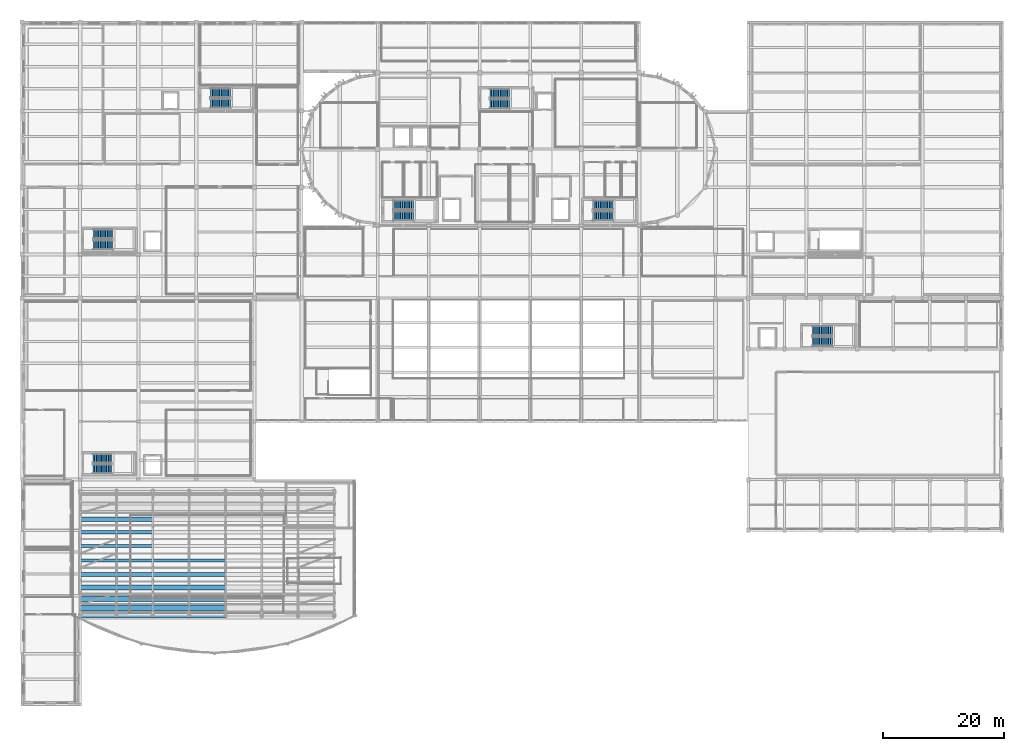
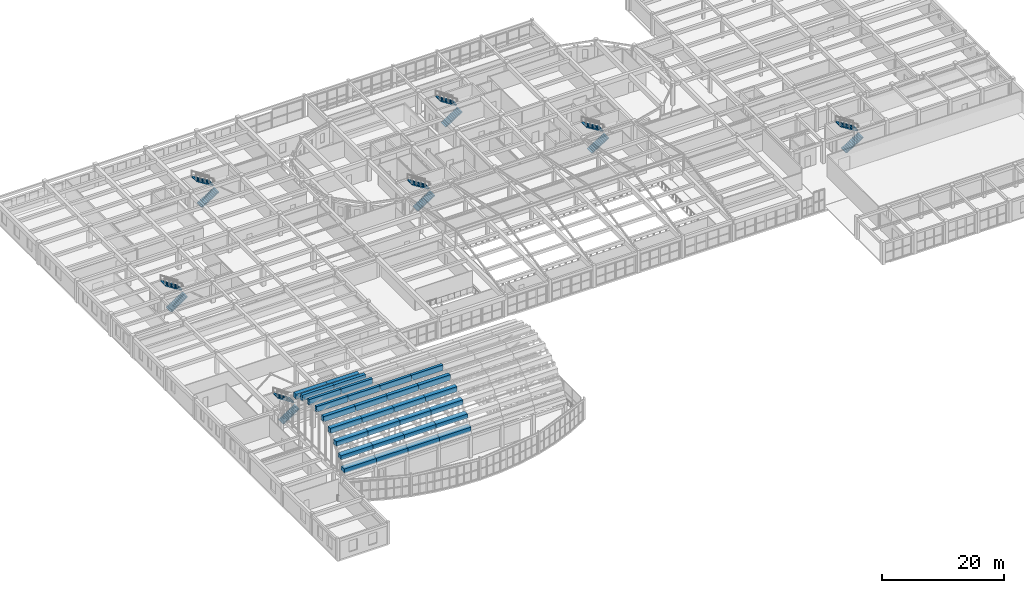
# One storey, part 75 of 91: 30 discrete accessories, 14 stair flights, 7 elements without a shape of their own.
"""IFC4 building model written with IfcOpenShell, lengths in metres."""

from ifc_helpers import new_model, si_unit, direction, frame, origin, origin_2d, place, context, subcontext, project, spatial, polyline, rectangle, outline, extrude, material, type_object, element, aggregate, save


model = new_model("IFC4")

# Units and contexts
model_context = context("Model", 3, precision=1e-05, world=origin(), true_north=direction((0.0, 1.0)))
body_context = subcontext(model_context, "Body", "Model", "MODEL_VIEW")
ifc_project = project(units=[si_unit("LENGTHUNIT", "METRE"), si_unit("AREAUNIT", "SQUARE_METRE"), si_unit("VOLUMEUNIT", "CUBIC_METRE"), si_unit("PLANEANGLEUNIT", "RADIAN"), si_unit("MASSUNIT", "GRAM", prefix="KILO")], contexts=[model_context])

# Site, building, storey
site_placement = place(None, origin())
site = spatial("IfcSite", under=ifc_project, at=site_placement, CompositionType="ELEMENT")
building_placement = place(site_placement, origin())
building = spatial("IfcBuilding", under=site, at=building_placement, Name="Tarnavel Promenade Courthouse", CompositionType="ELEMENT")
storey_placement = place(building_placement, frame((0.0, 0.0, 9.89990234375)))
storey = spatial("IfcBuildingStorey", under=building, at=storey_placement, Name="L03", CompositionType="ELEMENT", Elevation=9.89990234375)

# Stair, stair flights
ifc_material_1 = material(Name="Concrete C35/45", Category="concrete")
stair_type_1 = type_object("IfcStairType", Name="Concrete C35/45 Half-Turn Stair STR-03 (1560W-300G-24R)", PredefinedType="HALF_TURN_STAIR", material=ifc_material_1)
stair_1_placement = place(storey_placement, origin())
stair_1 = element("IfcStair", 1, at=stair_1_placement, inside=storey, type_object=stair_type_1, Name="L03 West Bar Firefighting Exit Stair", PredefinedType="HALF_TURN_STAIR")
stair_flight_type_1 = type_object("IfcStairFlightType", Name="Concrete C35/45 Stair Flight STF-03 (1560W-300G-24R)", PredefinedType="STRAIGHT", material=ifc_material_1)
stair_flight_1_placement = place(storey_placement, frame((61.360107421875, 80.780029296875, 0.0), z_axis=(0.0, 0.0, 1.0), x_axis=(1.0, 0.0, 0.0)))
stair_flight_1 = element("IfcStairFlight", 2, at=stair_flight_1_placement, type_object=stair_flight_type_1, Name="ST-01 flight 1", NumberOfRisers=12, NumberOfTreads=11, PredefinedType="STRAIGHT", RiserHeight=0.1875, TreadLength=0.3, context=body_context, shape_type="SweptSolid", body=[
    extrude(outline(polyline([(0.0, 0.0), (0.0, 0.1875), (0.300048828125, 0.1875), (0.300048828125, 0.375), (0.60009765625, 0.375), (0.60009765625, 0.5625), (0.89990234375, 0.5625), (0.89990234375, 0.75), (1.199951171875, 0.75), (1.199951171875, 0.9375), (1.5, 0.9375), (1.5, 1.125), (1.800048828125, 1.125), (1.800048828125, 1.3125), (2.10009765625, 1.3125), (2.10009765625, 1.5), (2.39990234375, 1.5), (2.39990234375, 1.6875), (2.699951171875, 1.6875), (2.699951171875, 1.875), (3.0, 1.875), (3.0, 2.0625), (3.300048828125, 2.0625), (3.300048828125, 2.25), (3.300048828125, 1.8857421875), (0.28271484375, 0.0), (0.0, 0.0)])), frame((0.0, 0.780029296875, 0.0), z_axis=(0.0, -1.0, 0.0), x_axis=(1.0, 0.0, 0.0)), (0.0, 0.0, 1.0), 1.56005859375),
])
stair_flight_2_placement = place(storey_placement, frame((64.659912109375, 82.5400390625, 2.25), z_axis=(0.0, 0.0, 1.0), x_axis=(-1.0, 0.0, 0.0)))
stair_flight_2 = element("IfcStairFlight", 3, at=stair_flight_2_placement, type_object=stair_flight_type_1, Name="ST-01 flight 2", NumberOfRisers=12, NumberOfTreads=11, PredefinedType="STRAIGHT", RiserHeight=0.1875, TreadLength=0.3, context=body_context, shape_type="SweptSolid", body=[
    extrude(outline(polyline([(0.0, 0.0), (0.0, 0.1875), (0.300048828125, 0.1875), (0.300048828125, 0.375), (0.60009765625, 0.375), (0.60009765625, 0.5625), (0.89990234375, 0.5625), (0.89990234375, 0.75), (1.199951171875, 0.75), (1.199951171875, 0.9375), (1.5, 0.9375), (1.5, 1.125), (1.800048828125, 1.125), (1.800048828125, 1.3125), (2.10009765625, 1.3125), (2.10009765625, 1.5), (2.39990234375, 1.5), (2.39990234375, 1.6875), (2.699951171875, 1.6875), (2.699951171875, 1.875), (3.0, 1.875), (3.0, 2.0625), (3.300048828125, 2.0625), (3.300048828125, 2.25), (3.300048828125, 1.8857421875), (0.28271484375, 0.0), (0.0, 0.0)])), frame((0.0, 0.780029296875, 0.0), z_axis=(0.0, -1.0, 0.0), x_axis=(1.0, 0.0, 0.0)), (0.0, 0.0, 1.0), 1.56005859375),
])
aggregate(stair_1, [stair_flight_1, stair_flight_2])

stair_2_placement = place(storey_placement, origin())
stair_2 = element("IfcStair", 4, at=stair_2_placement, inside=storey, type_object=stair_type_1, Name="L03 East Bar Firefighting Exit Stair", PredefinedType="HALF_TURN_STAIR")
stair_flight_3_placement = place(storey_placement, frame((94.360107421875, 80.780029296875, 0.0), z_axis=(0.0, 0.0, 1.0), x_axis=(1.0, 0.0, 0.0)))
stair_flight_3 = element("IfcStairFlight", 5, at=stair_flight_3_placement, type_object=stair_flight_type_1, Name="ST-02 flight 1", NumberOfRisers=12, NumberOfTreads=11, PredefinedType="STRAIGHT", RiserHeight=0.1875, TreadLength=0.3, context=body_context, shape_type="SweptSolid", body=[
    extrude(outline(polyline([(0.0, 0.0), (0.0, 0.1875), (0.300048828125, 0.1875), (0.300048828125, 0.375), (0.60009765625, 0.375), (0.60009765625, 0.5625), (0.89990234375, 0.5625), (0.89990234375, 0.75), (1.199951171875, 0.75), (1.199951171875, 0.9375), (1.5, 0.9375), (1.5, 1.125), (1.800048828125, 1.125), (1.800048828125, 1.3125), (2.10009765625, 1.3125), (2.10009765625, 1.5), (2.39990234375, 1.5), (2.39990234375, 1.6875), (2.699951171875, 1.6875), (2.699951171875, 1.875), (3.0, 1.875), (3.0, 2.0625), (3.300048828125, 2.0625), (3.300048828125, 2.25), (3.300048828125, 1.8857421875), (0.28271484375, 0.0), (0.0, 0.0)])), frame((0.0, 0.780029296875, 0.0), z_axis=(0.0, -1.0, 0.0), x_axis=(1.0, 0.0, 0.0)), (0.0, 0.0, 1.0), 1.56005859375),
])
stair_flight_4_placement = place(storey_placement, frame((97.659912109375, 82.5400390625, 2.25), z_axis=(0.0, 0.0, 1.0), x_axis=(-1.0, 0.0, 0.0)))
stair_flight_4 = element("IfcStairFlight", 6, at=stair_flight_4_placement, type_object=stair_flight_type_1, Name="ST-02 flight 2", NumberOfRisers=12, NumberOfTreads=11, PredefinedType="STRAIGHT", RiserHeight=0.1875, TreadLength=0.3, context=body_context, shape_type="SweptSolid", body=[
    extrude(outline(polyline([(0.0, 0.0), (0.0, 0.1875), (0.300048828125, 0.1875), (0.300048828125, 0.375), (0.60009765625, 0.375), (0.60009765625, 0.5625), (0.89990234375, 0.5625), (0.89990234375, 0.75), (1.199951171875, 0.75), (1.199951171875, 0.9375), (1.5, 0.9375), (1.5, 1.125), (1.800048828125, 1.125), (1.800048828125, 1.3125), (2.10009765625, 1.3125), (2.10009765625, 1.5), (2.39990234375, 1.5), (2.39990234375, 1.6875), (2.699951171875, 1.6875), (2.699951171875, 1.875), (3.0, 1.875), (3.0, 2.0625), (3.300048828125, 2.0625), (3.300048828125, 2.25), (3.300048828125, 1.8857421875), (0.28271484375, 0.0), (0.0, 0.0)])), frame((0.0, 0.780029296875, 0.0), z_axis=(0.0, -1.0, 0.0), x_axis=(1.0, 0.0, 0.0)), (0.0, 0.0, 1.0), 1.56005859375),
])
aggregate(stair_2, [stair_flight_3, stair_flight_4])

stair_type_2 = type_object("IfcStairType", Name="Concrete C35/45 Half-Turn Stair STR-06 (1520W-290G-24R)", PredefinedType="HALF_TURN_STAIR", material=ifc_material_1)
stair_3_placement = place(storey_placement, origin())
stair_3 = element("IfcStair", 7, at=stair_3_placement, inside=storey, type_object=stair_type_2, Name="L03 Central Judicial Chambers Exit Stair", PredefinedType="HALF_TURN_STAIR")
stair_flight_type_2 = type_object("IfcStairFlightType", Name="Concrete C35/45 Stair Flight STF-06 (1520W-290G-24R)", PredefinedType="STRAIGHT", material=ifc_material_1)
stair_flight_5_placement = place(storey_placement, frame((77.320068359375, 99.260009765625, 0.0), z_axis=(0.0, 0.0, 1.0), x_axis=(1.0, 0.0, 0.0)))
stair_flight_5 = element("IfcStairFlight", 8, at=stair_flight_5_placement, type_object=stair_flight_type_2, Name="ST-03 flight 1", NumberOfRisers=12, NumberOfTreads=11, PredefinedType="STRAIGHT", RiserHeight=0.1875, TreadLength=0.29, context=body_context, shape_type="SweptSolid", body=[
    extrude(outline(polyline([(0.0, 0.0), (0.0, 0.1875), (0.2900390625, 0.1875), (0.2900390625, 0.375), (0.580078125, 0.375), (0.580078125, 0.5625), (0.8701171875, 0.5625), (0.8701171875, 0.75), (1.159912109375, 0.75), (1.159912109375, 0.9375), (1.449951171875, 0.9375), (1.449951171875, 1.125), (1.739990234375, 1.125), (1.739990234375, 1.3125), (2.030029296875, 1.3125), (2.030029296875, 1.5), (2.320068359375, 1.5), (2.320068359375, 1.6875), (2.610107421875, 1.6875), (2.610107421875, 1.875), (2.89990234375, 1.875), (2.89990234375, 2.0625), (3.18994140625, 2.0625), (3.18994140625, 2.25), (3.18994140625, 1.884033203125), (0.276123046875, 0.0), (0.0, 0.0)])), frame((0.0, 0.760009765625, 0.0), z_axis=(0.0, -1.0, 0.0), x_axis=(1.0, 0.0, 0.0)), (0.0, 0.0, 1.0), 1.52001953125),
])
stair_flight_6_placement = place(storey_placement, frame((80.510009765625, 100.97998046875, 2.25), z_axis=(0.0, 0.0, 1.0), x_axis=(-1.0, 0.0, 0.0)))
stair_flight_6 = element("IfcStairFlight", 9, at=stair_flight_6_placement, type_object=stair_flight_type_2, Name="ST-03 flight 2", NumberOfRisers=12, NumberOfTreads=11, PredefinedType="STRAIGHT", RiserHeight=0.1875, TreadLength=0.29, context=body_context, shape_type="SweptSolid", body=[
    extrude(outline(polyline([(0.0, 0.0), (0.0, 0.1875), (0.2900390625, 0.1875), (0.2900390625, 0.375), (0.580078125, 0.375), (0.580078125, 0.5625), (0.8701171875, 0.5625), (0.8701171875, 0.75), (1.159912109375, 0.75), (1.159912109375, 0.9375), (1.449951171875, 0.9375), (1.449951171875, 1.125), (1.739990234375, 1.125), (1.739990234375, 1.3125), (2.030029296875, 1.3125), (2.030029296875, 1.5), (2.320068359375, 1.5), (2.320068359375, 1.6875), (2.610107421875, 1.6875), (2.610107421875, 1.875), (2.89990234375, 1.875), (2.89990234375, 2.0625), (3.18994140625, 2.0625), (3.18994140625, 2.25), (3.18994140625, 1.884033203125), (0.276123046875, 0.0), (0.0, 0.0)])), frame((0.0, 0.760009765625, 0.0), z_axis=(0.0, -1.0, 0.0), x_axis=(1.0, 0.0, 0.0)), (0.0, 0.0, 1.0), 1.52001953125),
])
aggregate(stair_3, [stair_flight_5, stair_flight_6])

stair_type_3 = type_object("IfcStairType", Name="Concrete C35/45 Half-Turn Stair STR-09 (1580W-290G-24R)", PredefinedType="HALF_TURN_STAIR", material=ifc_material_1)
stair_4_placement = place(storey_placement, origin())
stair_4 = element("IfcStair", 10, at=stair_4_placement, inside=storey, type_object=stair_type_3, Name="L03 Trial Courts West Exit Stair", PredefinedType="HALF_TURN_STAIR")
stair_flight_type_3 = type_object("IfcStairFlightType", Name="Concrete C35/45 Stair Flight STF-09 (1580W-290G-24R)", PredefinedType="STRAIGHT", material=ifc_material_1)
stair_flight_7_placement = place(storey_placement, frame((11.780029296875, 75.989990234375, 0.0), z_axis=(0.0, 0.0, 1.0), x_axis=(1.0, 0.0, 0.0)))
stair_flight_7 = element("IfcStairFlight", 11, at=stair_flight_7_placement, type_object=stair_flight_type_3, Name="ST-04 flight 1", NumberOfRisers=12, NumberOfTreads=11, PredefinedType="STRAIGHT", RiserHeight=0.1875, TreadLength=0.29, context=body_context, shape_type="SweptSolid", body=[
    extrude(outline(polyline([(0.0, 0.0), (0.0, 0.1875), (0.2900390625, 0.1875), (0.2900390625, 0.375), (0.580078125, 0.375), (0.580078125, 0.5625), (0.8701171875, 0.5625), (0.8701171875, 0.75), (1.159912109375, 0.75), (1.159912109375, 0.9375), (1.449951171875, 0.9375), (1.449951171875, 1.125), (1.739990234375, 1.125), (1.739990234375, 1.3125), (2.030029296875, 1.3125), (2.030029296875, 1.5), (2.320068359375, 1.5), (2.320068359375, 1.6875), (2.610107421875, 1.6875), (2.610107421875, 1.875), (2.89990234375, 1.875), (2.89990234375, 2.0625), (3.18994140625, 2.0625), (3.18994140625, 2.25), (3.18994140625, 1.884033203125), (0.276123046875, 0.0), (0.0, 0.0)])), frame((0.0, 0.7900390625, 0.0), z_axis=(0.0, -1.0, 0.0), x_axis=(1.0, 0.0, 0.0)), (0.0, 0.0, 1.0), 1.580078125),
])
stair_flight_8_placement = place(storey_placement, frame((14.969970703125, 77.77001953125, 2.25), z_axis=(0.0, 0.0, 1.0), x_axis=(-1.0, 0.0, 0.0)))
stair_flight_8 = element("IfcStairFlight", 12, at=stair_flight_8_placement, type_object=stair_flight_type_3, Name="ST-04 flight 2", NumberOfRisers=12, NumberOfTreads=11, PredefinedType="STRAIGHT", RiserHeight=0.1875, TreadLength=0.29, context=body_context, shape_type="SweptSolid", body=[
    extrude(outline(polyline([(0.0, 0.0), (0.0, 0.1875), (0.2900390625, 0.1875), (0.2900390625, 0.375), (0.580078125, 0.375), (0.580078125, 0.5625), (0.8701171875, 0.5625), (0.8701171875, 0.75), (1.159912109375, 0.75), (1.159912109375, 0.9375), (1.449951171875, 0.9375), (1.449951171875, 1.125), (1.739990234375, 1.125), (1.739990234375, 1.3125), (2.030029296875, 1.3125), (2.030029296875, 1.5), (2.320068359375, 1.5), (2.320068359375, 1.6875), (2.610107421875, 1.6875), (2.610107421875, 1.875), (2.89990234375, 1.875), (2.89990234375, 2.0625), (3.18994140625, 2.0625), (3.18994140625, 2.25), (3.18994140625, 1.884033203125), (0.276123046875, 0.0), (0.0, 0.0)])), frame((0.0, 0.7900390625, 0.0), z_axis=(0.0, -1.0, 0.0), x_axis=(1.0, 0.0, 0.0)), (0.0, 0.0, 1.0), 1.580078125),
])
aggregate(stair_4, [stair_flight_7, stair_flight_8])

stair_type_4 = type_object("IfcStairType", Name="Concrete C35/45 Half-Turn Stair STR-12 (1540W-300G-24R)", PredefinedType="HALF_TURN_STAIR", material=ifc_material_1)
stair_5_placement = place(storey_placement, origin())
stair_5 = element("IfcStair", 13, at=stair_5_placement, inside=storey, type_object=stair_type_4, Name="L03 Trial Courts North Exit Stair", PredefinedType="HALF_TURN_STAIR")
stair_flight_type_4 = type_object("IfcStairFlightType", Name="Concrete C35/45 Stair Flight STF-12 (1540W-300G-24R)", PredefinedType="STRAIGHT", material=ifc_material_1)
stair_flight_9_placement = place(storey_placement, frame((31.139892578125, 99.3701171875, 0.0), z_axis=(0.0, 0.0, 1.0), x_axis=(1.0, 0.0, 0.0)))
stair_flight_9 = element("IfcStairFlight", 14, at=stair_flight_9_placement, type_object=stair_flight_type_4, Name="ST-07 flight 1", NumberOfRisers=12, NumberOfTreads=11, PredefinedType="STRAIGHT", RiserHeight=0.1875, TreadLength=0.3, context=body_context, shape_type="SweptSolid", body=[
    extrude(outline(polyline([(0.0, 0.0), (0.0, 0.1875), (0.300048828125, 0.1875), (0.300048828125, 0.375), (0.60009765625, 0.375), (0.60009765625, 0.5625), (0.89990234375, 0.5625), (0.89990234375, 0.75), (1.199951171875, 0.75), (1.199951171875, 0.9375), (1.5, 0.9375), (1.5, 1.125), (1.800048828125, 1.125), (1.800048828125, 1.3125), (2.10009765625, 1.3125), (2.10009765625, 1.5), (2.39990234375, 1.5), (2.39990234375, 1.6875), (2.699951171875, 1.6875), (2.699951171875, 1.875), (3.0, 1.875), (3.0, 2.0625), (3.300048828125, 2.0625), (3.300048828125, 2.25), (3.300048828125, 1.8857421875), (0.28271484375, 0.0), (0.0, 0.0)])), frame((0.0, 0.77001953125, 0.0), z_axis=(0.0, -1.0, 0.0), x_axis=(1.0, 0.0, 0.0)), (0.0, 0.0, 1.0), 1.5400390625),
])
stair_flight_10_placement = place(storey_placement, frame((34.43994140625, 101.110107421875, 2.25), z_axis=(0.0, 0.0, 1.0), x_axis=(-1.0, 0.0, 0.0)))
stair_flight_10 = element("IfcStairFlight", 15, at=stair_flight_10_placement, type_object=stair_flight_type_4, Name="ST-07 flight 2", NumberOfRisers=12, NumberOfTreads=11, PredefinedType="STRAIGHT", RiserHeight=0.1875, TreadLength=0.3, context=body_context, shape_type="SweptSolid", body=[
    extrude(outline(polyline([(0.0, 0.0), (0.0, 0.1875), (0.300048828125, 0.1875), (0.300048828125, 0.375), (0.60009765625, 0.375), (0.60009765625, 0.5625), (0.89990234375, 0.5625), (0.89990234375, 0.75), (1.199951171875, 0.75), (1.199951171875, 0.9375), (1.5, 0.9375), (1.5, 1.125), (1.800048828125, 1.125), (1.800048828125, 1.3125), (2.10009765625, 1.3125), (2.10009765625, 1.5), (2.39990234375, 1.5), (2.39990234375, 1.6875), (2.699951171875, 1.6875), (2.699951171875, 1.875), (3.0, 1.875), (3.0, 2.0625), (3.300048828125, 2.0625), (3.300048828125, 2.25), (3.300048828125, 1.8857421875), (0.28271484375, 0.0), (0.0, 0.0)])), frame((0.0, 0.77001953125, 0.0), z_axis=(0.0, -1.0, 0.0), x_axis=(1.0, 0.0, 0.0)), (0.0, 0.0, 1.0), 1.5400390625),
])
aggregate(stair_5, [stair_flight_9, stair_flight_10])

stair_type_5 = type_object("IfcStairType", Name="Concrete C35/45 Half-Turn Stair STR-14 (1520W-280G-24R)", PredefinedType="HALF_TURN_STAIR", material=ifc_material_1)
stair_6_placement = place(storey_placement, origin())
stair_6 = element("IfcStair", 16, at=stair_6_placement, inside=storey, type_object=stair_type_5, Name="L03 Law Library Exit Stair", PredefinedType="HALF_TURN_STAIR")
stair_flight_type_5 = type_object("IfcStairFlightType", Name="Concrete C35/45 Stair Flight STF-14 (1520W-280G-24R)", PredefinedType="STRAIGHT", material=ifc_material_1)
stair_flight_11_placement = place(storey_placement, frame((11.719970703125, 38.9599609375, 0.0), z_axis=(0.0, 0.0, 1.0), x_axis=(1.0, 0.0, 0.0)))
stair_flight_11 = element("IfcStairFlight", 17, at=stair_flight_11_placement, type_object=stair_flight_type_5, Name="ST-05 flight 1", NumberOfRisers=12, NumberOfTreads=11, PredefinedType="STRAIGHT", RiserHeight=0.1875, TreadLength=0.28, context=body_context, shape_type="SweptSolid", body=[
    extrude(outline(polyline([(0.0, 0.0), (0.0, 0.1875), (0.280029296875, 0.1875), (0.280029296875, 0.375), (0.56005859375, 0.375), (0.56005859375, 0.5625), (0.840087890625, 0.5625), (0.840087890625, 0.75), (1.1201171875, 0.75), (1.1201171875, 0.9375), (1.39990234375, 0.9375), (1.39990234375, 1.125), (1.679931640625, 1.125), (1.679931640625, 1.3125), (1.9599609375, 1.3125), (1.9599609375, 1.5), (2.239990234375, 1.5), (2.239990234375, 1.6875), (2.52001953125, 1.6875), (2.52001953125, 1.875), (2.800048828125, 1.875), (2.800048828125, 2.0625), (3.080078125, 2.0625), (3.080078125, 2.25), (3.080078125, 1.882080078125), (0.26953125, 0.0), (0.0, 0.0)])), frame((0.0, 0.760009765625, 0.0), z_axis=(0.0, -1.0, 0.0), x_axis=(1.0, 0.0, 0.0)), (0.0, 0.0, 1.0), 1.52001953125),
])
stair_flight_12_placement = place(storey_placement, frame((14.800048828125, 40.679931640625, 2.25), z_axis=(0.0, 0.0, 1.0), x_axis=(-1.0, 0.0, 0.0)))
stair_flight_12 = element("IfcStairFlight", 18, at=stair_flight_12_placement, type_object=stair_flight_type_5, Name="ST-05 flight 2", NumberOfRisers=12, NumberOfTreads=11, PredefinedType="STRAIGHT", RiserHeight=0.1875, TreadLength=0.28, context=body_context, shape_type="SweptSolid", body=[
    extrude(outline(polyline([(0.0, 0.0), (0.0, 0.1875), (0.280029296875, 0.1875), (0.280029296875, 0.375), (0.56005859375, 0.375), (0.56005859375, 0.5625), (0.840087890625, 0.5625), (0.840087890625, 0.75), (1.1201171875, 0.75), (1.1201171875, 0.9375), (1.39990234375, 0.9375), (1.39990234375, 1.125), (1.679931640625, 1.125), (1.679931640625, 1.3125), (1.9599609375, 1.3125), (1.9599609375, 1.5), (2.239990234375, 1.5), (2.239990234375, 1.6875), (2.52001953125, 1.6875), (2.52001953125, 1.875), (2.800048828125, 1.875), (2.800048828125, 2.0625), (3.080078125, 2.0625), (3.080078125, 2.25), (3.080078125, 1.882080078125), (0.26953125, 0.0), (0.0, 0.0)])), frame((0.0, 0.760009765625, 0.0), z_axis=(0.0, -1.0, 0.0), x_axis=(1.0, 0.0, 0.0)), (0.0, 0.0, 1.0), 1.52001953125),
])
aggregate(stair_6, [stair_flight_11, stair_flight_12])

stair_type_6 = type_object("IfcStairType", Name="Concrete C35/45 Half-Turn Stair STR-19 (1600W-300G-24R)", PredefinedType="HALF_TURN_STAIR", material=ifc_material_1)
stair_7_placement = place(storey_placement, origin())
stair_7 = element("IfcStair", 19, at=stair_7_placement, inside=storey, type_object=stair_type_6, Name="L03 Ceremonial Pavilion Exit Stair", PredefinedType="HALF_TURN_STAIR")
stair_flight_type_6 = type_object("IfcStairFlightType", Name="Concrete C35/45 Stair Flight STF-19 (1600W-300G-24R)", PredefinedType="STRAIGHT", material=ifc_material_1)
stair_flight_13_placement = place(storey_placement, frame((130.60009765625, 60.0, 0.0), z_axis=(0.0, 0.0, 1.0), x_axis=(1.0, 0.0, 0.0)))
stair_flight_13 = element("IfcStairFlight", 20, at=stair_flight_13_placement, type_object=stair_flight_type_6, Name="ST-08 flight 1", NumberOfRisers=12, NumberOfTreads=11, PredefinedType="STRAIGHT", RiserHeight=0.1875, TreadLength=0.3, context=body_context, shape_type="SweptSolid", body=[
    extrude(outline(polyline([(0.0, 0.0), (0.0, 0.1875), (0.300048828125, 0.1875), (0.300048828125, 0.375), (0.60009765625, 0.375), (0.60009765625, 0.5625), (0.89990234375, 0.5625), (0.89990234375, 0.75), (1.199951171875, 0.75), (1.199951171875, 0.9375), (1.5, 0.9375), (1.5, 1.125), (1.800048828125, 1.125), (1.800048828125, 1.3125), (2.10009765625, 1.3125), (2.10009765625, 1.5), (2.39990234375, 1.5), (2.39990234375, 1.6875), (2.699951171875, 1.6875), (2.699951171875, 1.875), (3.0, 1.875), (3.0, 2.0625), (3.300048828125, 2.0625), (3.300048828125, 2.25), (3.300048828125, 1.8857421875), (0.28271484375, 0.0), (0.0, 0.0)])), frame((0.0, 0.800048828125, 0.0), z_axis=(0.0, -1.0, 0.0), x_axis=(1.0, 0.0, 0.0)), (0.0, 0.0, 1.0), 1.60009765625),
])
stair_flight_14_placement = place(storey_placement, frame((133.89990234375, 61.800048828125, 2.25), z_axis=(0.0, 0.0, 1.0), x_axis=(-1.0, 0.0, 0.0)))
stair_flight_14 = element("IfcStairFlight", 21, at=stair_flight_14_placement, type_object=stair_flight_type_6, Name="ST-08 flight 2", NumberOfRisers=12, NumberOfTreads=11, PredefinedType="STRAIGHT", RiserHeight=0.1875, TreadLength=0.3, context=body_context, shape_type="SweptSolid", body=[
    extrude(outline(polyline([(0.0, 0.0), (0.0, 0.1875), (0.300048828125, 0.1875), (0.300048828125, 0.375), (0.60009765625, 0.375), (0.60009765625, 0.5625), (0.89990234375, 0.5625), (0.89990234375, 0.75), (1.199951171875, 0.75), (1.199951171875, 0.9375), (1.5, 0.9375), (1.5, 1.125), (1.800048828125, 1.125), (1.800048828125, 1.3125), (2.10009765625, 1.3125), (2.10009765625, 1.5), (2.39990234375, 1.5), (2.39990234375, 1.6875), (2.699951171875, 1.6875), (2.699951171875, 1.875), (3.0, 1.875), (3.0, 2.0625), (3.300048828125, 2.0625), (3.300048828125, 2.25), (3.300048828125, 1.8857421875), (0.28271484375, 0.0), (0.0, 0.0)])), frame((0.0, 0.800048828125, 0.0), z_axis=(0.0, -1.0, 0.0), x_axis=(1.0, 0.0, 0.0)), (0.0, 0.0, 1.0), 1.60009765625),
])
aggregate(stair_7, [stair_flight_13, stair_flight_14])

# Discrete accessories
ifc_material_2 = material(Name="Steel S355J2", Category="steel")
discrete_accessory_type = type_object("IfcDiscreteAccessoryType", Name="Steel S355J2 Structural Connection Bracket", PredefinedType="BRACKET", material=ifc_material_2)
discrete_accessory_1_placement = place(storey_placement, frame((12.60009765625, 14.88525390625, 5.3642578125), z_axis=(0.0, 0.0, 1.0), x_axis=(1.0, 0.0, 0.0)))
element("IfcDiscreteAccessory", 22, at=discrete_accessory_1_placement, inside=storey, type_object=discrete_accessory_type, Name="V4 Vault Panel Cleat Assembly 01-01", PredefinedType="BRACKET", context=body_context, shape_type="SweptSolid", body=[
    extrude(rectangle(XDim=6.0400390625, YDim=1.078369140625, at=origin_2d()), origin(), (0.0, 0.0, 1.0), 0.873291015625),
])
discrete_accessory_2_placement = place(storey_placement, frame((12.60009765625, 15.97265625, 7.39697265625), z_axis=(0.0, 0.0, 1.0), x_axis=(1.0, 0.0, 0.0)))
element("IfcDiscreteAccessory", 23, at=discrete_accessory_2_placement, inside=storey, type_object=discrete_accessory_type, Name="V4 Vault Panel Cleat Assembly 01-02", PredefinedType="BRACKET", context=body_context, shape_type="SweptSolid", body=[
    extrude(rectangle(XDim=6.0400390625, YDim=1.0078125, at=origin_2d()), origin(), (0.0, 0.0, 1.0), 0.810791015625),
])
discrete_accessory_3_placement = place(storey_placement, frame((12.60009765625, 17.48974609375, 9.15283203125), z_axis=(0.0, 0.0, 1.0), x_axis=(1.0, 0.0, 0.0)))
element("IfcDiscreteAccessory", 24, at=discrete_accessory_3_placement, inside=storey, type_object=discrete_accessory_type, Name="V4 Vault Panel Cleat Assembly 01-03", PredefinedType="BRACKET", context=body_context, shape_type="SweptSolid", body=[
    extrude(rectangle(XDim=6.0400390625, YDim=0.908935546875, at=origin_2d()), origin(), (0.0, 0.0, 1.0), 0.928955078125),
])
discrete_accessory_4_placement = place(storey_placement, frame((12.60009765625, 19.364501953125, 10.548828125), z_axis=(0.0, 0.0, 1.0), x_axis=(1.0, 0.0, 0.0)))
element("IfcDiscreteAccessory", 25, at=discrete_accessory_4_placement, inside=storey, type_object=discrete_accessory_type, Name="V4 Vault Panel Cleat Assembly 01-04", PredefinedType="BRACKET", context=body_context, shape_type="SweptSolid", body=[
    extrude(rectangle(XDim=6.0400390625, YDim=0.786865234375, at=origin_2d()), origin(), (0.0, 0.0, 1.0), 1.02294921875),
])
discrete_accessory_5_placement = place(storey_placement, frame((12.60009765625, 21.5078125, 11.51806640625), z_axis=(0.0, 0.0, 1.0), x_axis=(1.0, 0.0, 0.0)))
element("IfcDiscreteAccessory", 26, at=discrete_accessory_5_placement, inside=storey, type_object=discrete_accessory_type, Name="V4 Vault Panel Cleat Assembly 01-05", PredefinedType="BRACKET", context=body_context, shape_type="SweptSolid", body=[
    extrude(rectangle(XDim=6.0400390625, YDim=0.647216796875, at=origin_2d()), origin(), (0.0, 0.0, 1.0), 1.088134765625),
])
for number, where, z_axis, x_axis, name in (
    (27, (12.60009765625, 23.817138671875, 12.014404296875), (0.0, 0.0, 1.0), (1.0, 0.0, 0.0), "V4 Vault Panel Cleat Assembly 01-06"),
    (28, (12.60009765625, 26.182861328125, 12.014404296875), (0.0, 0.0, 1.0), (1.0, 0.0, 0.0), "V4 Vault Panel Cleat Assembly 01-07"),
):
    element("IfcDiscreteAccessory", number, at=place(storey_placement, frame(where, z_axis=z_axis, x_axis=x_axis)), inside=storey, type_object=discrete_accessory_type, Name=name, PredefinedType="BRACKET", context=body_context, shape_type="SweptSolid", body=[
        extrude(rectangle(XDim=6.0400390625, YDim=0.4970703125, at=origin_2d()), origin(), (0.0, 0.0, 1.0), 1.12158203125),
    ])
discrete_accessory_6_placement = place(storey_placement, frame((12.60009765625, 28.4921875, 11.51806640625), z_axis=(0.0, 0.0, 1.0), x_axis=(1.0, 0.0, 0.0)))
element("IfcDiscreteAccessory", 29, at=discrete_accessory_6_placement, inside=storey, type_object=discrete_accessory_type, Name="V4 Vault Panel Cleat Assembly 01-08", PredefinedType="BRACKET", context=body_context, shape_type="SweptSolid", body=[
    extrude(rectangle(XDim=6.0400390625, YDim=0.647216796875, at=origin_2d()), origin(), (0.0, 0.0, 1.0), 1.088134765625),
])
discrete_accessory_7_placement = place(storey_placement, frame((12.60009765625, 30.635498046875, 10.548828125), z_axis=(0.0, 0.0, 1.0), x_axis=(1.0, 0.0, 0.0)))
element("IfcDiscreteAccessory", 30, at=discrete_accessory_7_placement, inside=storey, type_object=discrete_accessory_type, Name="V4 Vault Panel Cleat Assembly 01-09", PredefinedType="BRACKET", context=body_context, shape_type="SweptSolid", body=[
    extrude(rectangle(XDim=6.0400390625, YDim=0.786865234375, at=origin_2d()), origin(), (0.0, 0.0, 1.0), 1.02294921875),
])
discrete_accessory_8_placement = place(storey_placement, frame((18.60009765625, 14.88525390625, 5.3642578125), z_axis=(0.0, 0.0, 1.0), x_axis=(1.0, 0.0, 0.0)))
element("IfcDiscreteAccessory", 31, at=discrete_accessory_8_placement, inside=storey, type_object=discrete_accessory_type, Name="V4 Vault Panel Cleat Assembly 02-01", PredefinedType="BRACKET", context=body_context, shape_type="SweptSolid", body=[
    extrude(rectangle(XDim=6.0400390625, YDim=1.078369140625, at=origin_2d()), origin(), (0.0, 0.0, 1.0), 0.873291015625),
])
discrete_accessory_9_placement = place(storey_placement, frame((18.60009765625, 15.97265625, 7.39697265625), z_axis=(0.0, 0.0, 1.0), x_axis=(1.0, 0.0, 0.0)))
element("IfcDiscreteAccessory", 32, at=discrete_accessory_9_placement, inside=storey, type_object=discrete_accessory_type, Name="V4 Vault Panel Cleat Assembly 02-02", PredefinedType="BRACKET", context=body_context, shape_type="SweptSolid", body=[
    extrude(rectangle(XDim=6.0400390625, YDim=1.0078125, at=origin_2d()), origin(), (0.0, 0.0, 1.0), 0.810791015625),
])
discrete_accessory_10_placement = place(storey_placement, frame((18.60009765625, 17.48974609375, 9.15283203125), z_axis=(0.0, 0.0, 1.0), x_axis=(1.0, 0.0, 0.0)))
element("IfcDiscreteAccessory", 33, at=discrete_accessory_10_placement, inside=storey, type_object=discrete_accessory_type, Name="V4 Vault Panel Cleat Assembly 02-03", PredefinedType="BRACKET", context=body_context, shape_type="SweptSolid", body=[
    extrude(rectangle(XDim=6.0400390625, YDim=0.908935546875, at=origin_2d()), origin(), (0.0, 0.0, 1.0), 0.928955078125),
])
discrete_accessory_11_placement = place(storey_placement, frame((18.60009765625, 19.364501953125, 10.548828125), z_axis=(0.0, 0.0, 1.0), x_axis=(1.0, 0.0, 0.0)))
element("IfcDiscreteAccessory", 34, at=discrete_accessory_11_placement, inside=storey, type_object=discrete_accessory_type, Name="V4 Vault Panel Cleat Assembly 02-04", PredefinedType="BRACKET", context=body_context, shape_type="SweptSolid", body=[
    extrude(rectangle(XDim=6.0400390625, YDim=0.786865234375, at=origin_2d()), origin(), (0.0, 0.0, 1.0), 1.02294921875),
])
discrete_accessory_12_placement = place(storey_placement, frame((18.60009765625, 21.5078125, 11.51806640625), z_axis=(0.0, 0.0, 1.0), x_axis=(1.0, 0.0, 0.0)))
element("IfcDiscreteAccessory", 35, at=discrete_accessory_12_placement, inside=storey, type_object=discrete_accessory_type, Name="V4 Vault Panel Cleat Assembly 02-05", PredefinedType="BRACKET", context=body_context, shape_type="SweptSolid", body=[
    extrude(rectangle(XDim=6.0400390625, YDim=0.647216796875, at=origin_2d()), origin(), (0.0, 0.0, 1.0), 1.088134765625),
])
for number, where, z_axis, x_axis, name in (
    (36, (18.60009765625, 23.817138671875, 12.014404296875), (0.0, 0.0, 1.0), (1.0, 0.0, 0.0), "V4 Vault Panel Cleat Assembly 02-06"),
    (37, (18.60009765625, 26.182861328125, 12.014404296875), (0.0, 0.0, 1.0), (1.0, 0.0, 0.0), "V4 Vault Panel Cleat Assembly 02-07"),
):
    element("IfcDiscreteAccessory", number, at=place(storey_placement, frame(where, z_axis=z_axis, x_axis=x_axis)), inside=storey, type_object=discrete_accessory_type, Name=name, PredefinedType="BRACKET", context=body_context, shape_type="SweptSolid", body=[
        extrude(rectangle(XDim=6.0400390625, YDim=0.4970703125, at=origin_2d()), origin(), (0.0, 0.0, 1.0), 1.12158203125),
    ])
discrete_accessory_13_placement = place(storey_placement, frame((18.60009765625, 28.4921875, 11.51806640625), z_axis=(0.0, 0.0, 1.0), x_axis=(1.0, 0.0, 0.0)))
element("IfcDiscreteAccessory", 38, at=discrete_accessory_13_placement, inside=storey, type_object=discrete_accessory_type, Name="V4 Vault Panel Cleat Assembly 02-08", PredefinedType="BRACKET", context=body_context, shape_type="SweptSolid", body=[
    extrude(rectangle(XDim=6.0400390625, YDim=0.647216796875, at=origin_2d()), origin(), (0.0, 0.0, 1.0), 1.088134765625),
])
discrete_accessory_14_placement = place(storey_placement, frame((18.60009765625, 30.635498046875, 10.548828125), z_axis=(0.0, 0.0, 1.0), x_axis=(1.0, 0.0, 0.0)))
element("IfcDiscreteAccessory", 39, at=discrete_accessory_14_placement, inside=storey, type_object=discrete_accessory_type, Name="V4 Vault Panel Cleat Assembly 02-09", PredefinedType="BRACKET", context=body_context, shape_type="SweptSolid", body=[
    extrude(rectangle(XDim=6.0400390625, YDim=0.786865234375, at=origin_2d()), origin(), (0.0, 0.0, 1.0), 1.02294921875),
])
discrete_accessory_15_placement = place(storey_placement, frame((24.60009765625, 14.88525390625, 5.3642578125), z_axis=(0.0, 0.0, 1.0), x_axis=(1.0, 0.0, 0.0)))
element("IfcDiscreteAccessory", 40, at=discrete_accessory_15_placement, inside=storey, type_object=discrete_accessory_type, Name="V4 Vault Panel Cleat Assembly 03-01", PredefinedType="BRACKET", context=body_context, shape_type="SweptSolid", body=[
    extrude(rectangle(XDim=6.0400390625, YDim=1.078369140625, at=origin_2d()), origin(), (0.0, 0.0, 1.0), 0.873291015625),
])
discrete_accessory_16_placement = place(storey_placement, frame((24.60009765625, 15.97265625, 7.39697265625), z_axis=(0.0, 0.0, 1.0), x_axis=(1.0, 0.0, 0.0)))
element("IfcDiscreteAccessory", 41, at=discrete_accessory_16_placement, inside=storey, type_object=discrete_accessory_type, Name="V4 Vault Panel Cleat Assembly 03-02", PredefinedType="BRACKET", context=body_context, shape_type="SweptSolid", body=[
    extrude(rectangle(XDim=6.0400390625, YDim=1.0078125, at=origin_2d()), origin(), (0.0, 0.0, 1.0), 0.810791015625),
])
discrete_accessory_17_placement = place(storey_placement, frame((24.60009765625, 17.48974609375, 9.15283203125), z_axis=(0.0, 0.0, 1.0), x_axis=(1.0, 0.0, 0.0)))
element("IfcDiscreteAccessory", 42, at=discrete_accessory_17_placement, inside=storey, type_object=discrete_accessory_type, Name="V4 Vault Panel Cleat Assembly 03-03", PredefinedType="BRACKET", context=body_context, shape_type="SweptSolid", body=[
    extrude(rectangle(XDim=6.0400390625, YDim=0.908935546875, at=origin_2d()), origin(), (0.0, 0.0, 1.0), 0.928955078125),
])
discrete_accessory_18_placement = place(storey_placement, frame((24.60009765625, 19.364501953125, 10.548828125), z_axis=(0.0, 0.0, 1.0), x_axis=(1.0, 0.0, 0.0)))
element("IfcDiscreteAccessory", 43, at=discrete_accessory_18_placement, inside=storey, type_object=discrete_accessory_type, Name="V4 Vault Panel Cleat Assembly 03-04", PredefinedType="BRACKET", context=body_context, shape_type="SweptSolid", body=[
    extrude(rectangle(XDim=6.0400390625, YDim=0.786865234375, at=origin_2d()), origin(), (0.0, 0.0, 1.0), 1.02294921875),
])
discrete_accessory_19_placement = place(storey_placement, frame((24.60009765625, 21.5078125, 11.51806640625), z_axis=(0.0, 0.0, 1.0), x_axis=(1.0, 0.0, 0.0)))
element("IfcDiscreteAccessory", 44, at=discrete_accessory_19_placement, inside=storey, type_object=discrete_accessory_type, Name="V4 Vault Panel Cleat Assembly 03-05", PredefinedType="BRACKET", context=body_context, shape_type="SweptSolid", body=[
    extrude(rectangle(XDim=6.0400390625, YDim=0.647216796875, at=origin_2d()), origin(), (0.0, 0.0, 1.0), 1.088134765625),
])
discrete_accessory_20_placement = place(storey_placement, frame((24.60009765625, 23.817138671875, 12.014404296875), z_axis=(0.0, 0.0, 1.0), x_axis=(1.0, 0.0, 0.0)))
element("IfcDiscreteAccessory", 45, at=discrete_accessory_20_placement, inside=storey, type_object=discrete_accessory_type, Name="V4 Vault Panel Cleat Assembly 03-06", PredefinedType="BRACKET", context=body_context, shape_type="SweptSolid", body=[
    extrude(rectangle(XDim=6.0400390625, YDim=0.4970703125, at=origin_2d()), origin(), (0.0, 0.0, 1.0), 1.12158203125),
])
discrete_accessory_21_placement = place(storey_placement, frame((30.60009765625, 14.88525390625, 5.3642578125), z_axis=(0.0, 0.0, 1.0), x_axis=(1.0, 0.0, 0.0)))
element("IfcDiscreteAccessory", 46, at=discrete_accessory_21_placement, inside=storey, type_object=discrete_accessory_type, Name="V4 Vault Panel Cleat Assembly 04-01", PredefinedType="BRACKET", context=body_context, shape_type="SweptSolid", body=[
    extrude(rectangle(XDim=6.0400390625, YDim=1.078369140625, at=origin_2d()), origin(), (0.0, 0.0, 1.0), 0.873291015625),
])
discrete_accessory_22_placement = place(storey_placement, frame((30.60009765625, 15.97265625, 7.39697265625), z_axis=(0.0, 0.0, 1.0), x_axis=(1.0, 0.0, 0.0)))
element("IfcDiscreteAccessory", 47, at=discrete_accessory_22_placement, inside=storey, type_object=discrete_accessory_type, Name="V4 Vault Panel Cleat Assembly 04-02", PredefinedType="BRACKET", context=body_context, shape_type="SweptSolid", body=[
    extrude(rectangle(XDim=6.0400390625, YDim=1.0078125, at=origin_2d()), origin(), (0.0, 0.0, 1.0), 0.810791015625),
])
discrete_accessory_23_placement = place(storey_placement, frame((30.60009765625, 17.48974609375, 9.15283203125), z_axis=(0.0, 0.0, 1.0), x_axis=(1.0, 0.0, 0.0)))
element("IfcDiscreteAccessory", 48, at=discrete_accessory_23_placement, inside=storey, type_object=discrete_accessory_type, Name="V4 Vault Panel Cleat Assembly 04-03", PredefinedType="BRACKET", context=body_context, shape_type="SweptSolid", body=[
    extrude(rectangle(XDim=6.0400390625, YDim=0.908935546875, at=origin_2d()), origin(), (0.0, 0.0, 1.0), 0.928955078125),
])
discrete_accessory_24_placement = place(storey_placement, frame((30.60009765625, 19.364501953125, 10.548828125), z_axis=(0.0, 0.0, 1.0), x_axis=(1.0, 0.0, 0.0)))
element("IfcDiscreteAccessory", 49, at=discrete_accessory_24_placement, inside=storey, type_object=discrete_accessory_type, Name="V4 Vault Panel Cleat Assembly 04-04", PredefinedType="BRACKET", context=body_context, shape_type="SweptSolid", body=[
    extrude(rectangle(XDim=6.0400390625, YDim=0.786865234375, at=origin_2d()), origin(), (0.0, 0.0, 1.0), 1.02294921875),
])
discrete_accessory_25_placement = place(storey_placement, frame((30.60009765625, 21.5078125, 11.51806640625), z_axis=(0.0, 0.0, 1.0), x_axis=(1.0, 0.0, 0.0)))
element("IfcDiscreteAccessory", 50, at=discrete_accessory_25_placement, inside=storey, type_object=discrete_accessory_type, Name="V4 Vault Panel Cleat Assembly 04-05", PredefinedType="BRACKET", context=body_context, shape_type="SweptSolid", body=[
    extrude(rectangle(XDim=6.0400390625, YDim=0.647216796875, at=origin_2d()), origin(), (0.0, 0.0, 1.0), 1.088134765625),
])
discrete_accessory_26_placement = place(storey_placement, frame((30.60009765625, 23.817138671875, 12.014404296875), z_axis=(0.0, 0.0, 1.0), x_axis=(1.0, 0.0, 0.0)))
element("IfcDiscreteAccessory", 51, at=discrete_accessory_26_placement, inside=storey, type_object=discrete_accessory_type, Name="V4 Vault Panel Cleat Assembly 04-06", PredefinedType="BRACKET", context=body_context, shape_type="SweptSolid", body=[
    extrude(rectangle(XDim=6.0400390625, YDim=0.4970703125, at=origin_2d()), origin(), (0.0, 0.0, 1.0), 1.12158203125),
])

save(model, "model.ifc")
